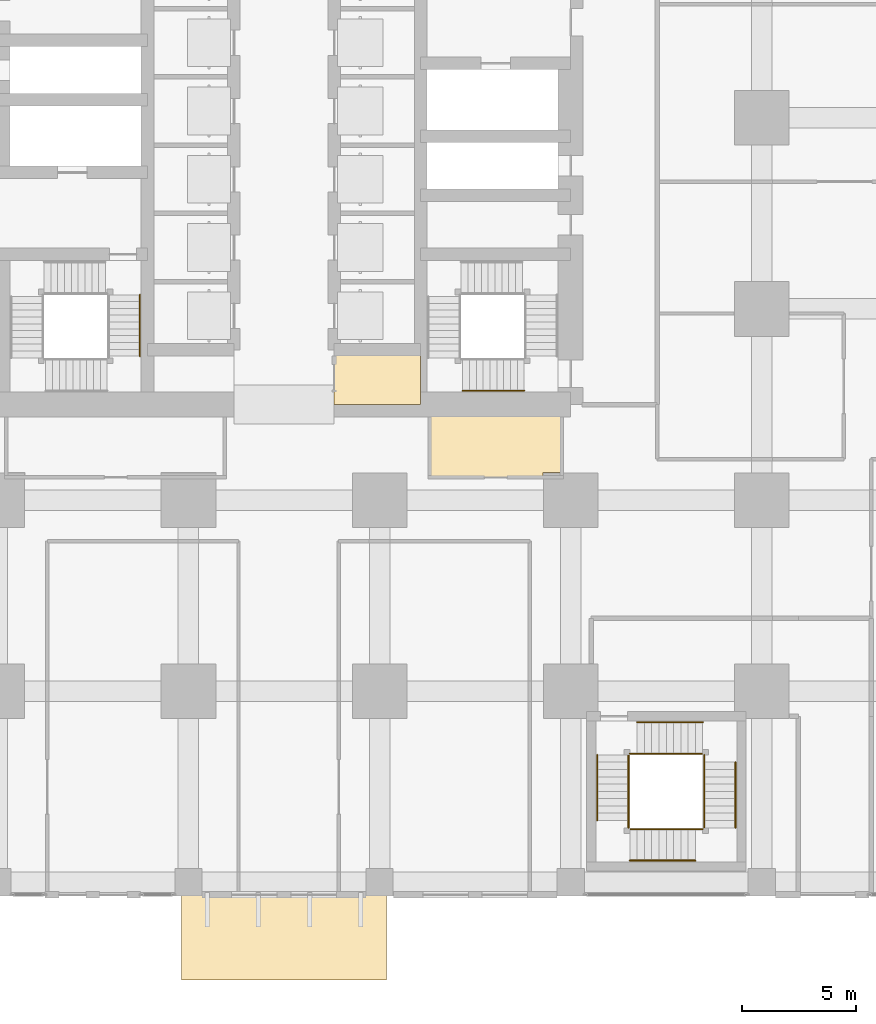
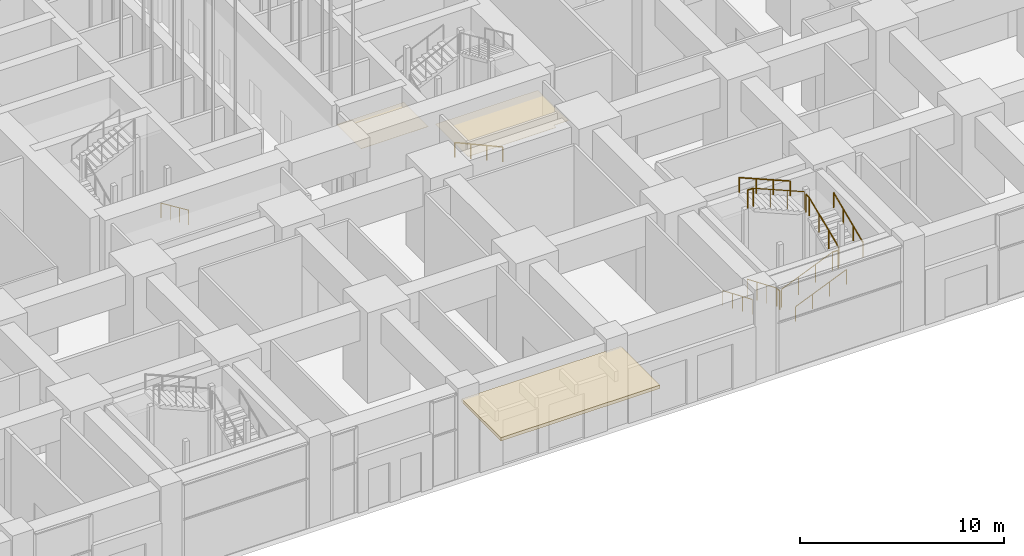
# One storey, part 48 of 81: 14 railings, 3 coverings.
"""IFC4 building model written with IfcOpenShell, lengths in metres."""

from ifc_helpers import new_model, si_unit, direction, frame, origin, origin_2d, place, context, subcontext, project, spatial, polyline, rectangle, circle, outline, extrude, material, layer, layer_set, type_object, element, save


model = new_model("IFC4")

# Units and contexts
model_context = context("Model", 3, precision=1e-05, world=origin(), true_north=direction((0.0, 1.0)))
body_context = subcontext(model_context, "Body", "Model", "MODEL_VIEW")
ifc_project = project(units=[si_unit("LENGTHUNIT", "METRE"), si_unit("AREAUNIT", "SQUARE_METRE"), si_unit("VOLUMEUNIT", "CUBIC_METRE"), si_unit("PLANEANGLEUNIT", "RADIAN"), si_unit("MASSUNIT", "GRAM", prefix="KILO")], contexts=[model_context])

# Site, building, storey
site_placement = place(None, origin())
site = spatial("IfcSite", under=ifc_project, at=site_placement, CompositionType="ELEMENT")
building_placement = place(site_placement, origin())
building = spatial("IfcBuilding", under=site, at=building_placement, Name="Rekha Terrace Tower", CompositionType="ELEMENT")
storey_placement = place(building_placement, origin())
storey = spatial("IfcBuildingStorey", under=building, at=storey_placement, Name="L00", CompositionType="ELEMENT", Elevation=0.0)

# Coverings
ifc_material_1 = material(Name="Fibre cement board", Category="finish")
ifc_layer_1 = layer(ifc_material_1, 0.014892578125)
ifc_layer_set_1 = layer_set([ifc_layer_1], Name="Fibre cement board")
covering_type_1 = type_object("IfcCoveringType", Name="CL2 moisture-resistant board ceiling", PredefinedType="CEILING", material=ifc_layer_set_1)
covering_1_placement = place(storey_placement, frame((0.0, 0.0, 4.18505859375)))
element("IfcCovering", 1, at=covering_1_placement, inside=storey, type_object=covering_type_1, Name="Ceiling L00-WCA", PredefinedType="CEILING", context=body_context, shape_type="SweptSolid", body=[
    extrude(outline(polyline([(43.800048828125, 23.39990234375), (40.0, 23.39990234375), (40.0, 21.0), (43.800048828125, 21.0), (43.800048828125, 23.39990234375)])), origin(), (0.0, 0.0, 1.0), 0.014892578125),
])
covering_2_placement = place(storey_placement, frame((0.0, 0.0, 4.18505859375)))
element("IfcCovering", 2, at=covering_2_placement, inside=storey, type_object=covering_type_1, Name="Ceiling L00-WCM2", PredefinedType="CEILING", context=body_context, shape_type="SweptSolid", body=[
    extrude(outline(polyline([(50.0, 21.0), (44.199951171875, 21.0), (44.199951171875, 17.800048828125), (49.18505859375, 17.800048828125), (49.18505859375, 18.014892578125), (50.0, 18.014892578125), (50.0, 21.0)])), origin(), (0.0, 0.0, 1.0), 0.014892578125),
])
ifc_material_2 = material(Name="Steel-framed canopy with aluminium soffit", Category="steel")
ifc_layer_2 = layer(ifc_material_2, 0.199951171875)
ifc_layer_set_2 = layer_set([ifc_layer_2], Name="Steel-framed canopy with aluminium soffit")
covering_type_2 = type_object("IfcCoveringType", Name="CN1 entrance canopy 200", PredefinedType="USERDEFINED", material=ifc_layer_set_2)
covering_3_placement = place(storey_placement, frame((37.800048828125, -2.3701171875, 4.39990234375), z_axis=(0.0, 0.0, 1.0), x_axis=(1.0, 0.0, 0.0)))
element("IfcCovering", 3, at=covering_3_placement, inside=storey, type_object=covering_type_2, Name="South entrance canopy", ObjectType="ENTRANCE CANOPY", PredefinedType="USERDEFINED", context=body_context, shape_type="SweptSolid", body=[
    extrude(rectangle(XDim=9.0, YDim=3.840087890625, at=origin_2d()), origin(), (0.0, 0.0, 1.0), 0.199951171875),
])

# Railings
ifc_material_3 = material(Name="Stainless steel balustrade", Category="steel")
railing_type_1 = type_object("IfcRailingType", Name="GR1 1100 stair guard", PredefinedType="GUARDRAIL", material=ifc_material_3)
railing_1_placement = place(storey_placement, frame((52.93994140625, 5.60009765625, 0.135009765625)))
element("IfcRailing", 4, at=railing_1_placement, inside=storey, type_object=railing_type_1, Name="Guard SP4 L00 flight 1", PredefinedType="GUARDRAIL", context=body_context, shape_type="SweptSolid", body=[
    extrude(circle(Radius=0.02392578125, at=origin_2d()), frame((0.0, 0.0, 1.076171875), z_axis=(0.0, -0.921360227523, 0.388709828972), x_axis=(1.0, 0.0, 0.0)), (0.0, 0.0, 1.0), 3.1259765625),
    extrude(circle(Radius=0.02099609375, at=origin_2d()), origin(), (0.0, 0.0, 1.0), 1.052001953125),
    extrude(circle(Radius=0.02099609375, at=origin_2d()), frame((0.0, -0.9599609375, 0.405029296875)), (0.0, 0.0, 1.0), 1.052001953125),
    extrude(circle(Radius=0.02099609375, at=origin_2d()), frame((0.0, -1.920166015625, 0.81005859375)), (0.0, 0.0, 1.0), 1.052001953125),
    extrude(circle(Radius=0.02099609375, at=origin_2d()), frame((0.0, -2.880126953125, 1.215087890625)), (0.0, 0.0, 1.0), 1.052001953125),
])
railing_2_placement = place(storey_placement, frame((53.0, 2.340087890625, 1.485107421875)))
element("IfcRailing", 5, at=railing_2_placement, inside=storey, type_object=railing_type_1, Name="Guard SP4 L00 flight 2", PredefinedType="GUARDRAIL", context=body_context, shape_type="SweptSolid", body=[
    extrude(circle(Radius=0.02392578125, at=origin_2d()), frame((0.0, 0.0, 1.076171875), z_axis=(0.921376398962, 0.0, 0.388671495527), x_axis=(0.0, 1.0, 0.0)), (0.0, 0.0, 1.0), 3.125732421875),
    extrude(circle(Radius=0.02099609375, at=origin_2d()), origin(), (0.0, 0.0, 1.0), 1.052001953125),
    extrude(circle(Radius=0.02099609375, at=origin_2d()), frame((0.9599609375, 0.0, 0.405029296875)), (0.0, 0.0, 1.0), 1.052001953125),
    extrude(circle(Radius=0.02099609375, at=origin_2d()), frame((1.919921875, 0.0, 0.809814453125)), (0.0, 0.0, 1.0), 1.052001953125),
    extrude(circle(Radius=0.02099609375, at=origin_2d()), frame((2.8798828125, 0.0, 1.21484375)), (0.0, 0.0, 1.0), 1.052001953125),
])
railing_3_placement = place(storey_placement, frame((56.260009765625, 2.39990234375, 2.8349609375)))
element("IfcRailing", 6, at=railing_3_placement, inside=storey, type_object=railing_type_1, Name="Guard SP4 L00 flight 3", PredefinedType="GUARDRAIL", context=body_context, shape_type="SweptSolid", body=[
    extrude(circle(Radius=0.02392578125, at=origin_2d()), frame((0.0, 0.0, 1.076171875), z_axis=(0.0, 0.921360227523, 0.388709828972), x_axis=(-1.0, 0.0, 0.0)), (0.0, 0.0, 1.0), 3.1259765625),
    extrude(circle(Radius=0.02099609375, at=origin_2d()), origin(), (0.0, 0.0, 1.0), 1.052001953125),
    extrude(circle(Radius=0.02099609375, at=origin_2d()), frame((0.0, 0.9599609375, 0.405029296875)), (0.0, 0.0, 1.0), 1.052001953125),
    extrude(circle(Radius=0.02099609375, at=origin_2d()), frame((0.0, 1.920166015625, 0.81005859375)), (0.0, 0.0, 1.0), 1.052001953125),
    extrude(circle(Radius=0.02099609375, at=origin_2d()), frame((0.0, 2.880126953125, 1.215087890625)), (0.0, 0.0, 1.0), 1.052001953125),
])
railing_4_placement = place(storey_placement, frame((56.199951171875, 5.659912109375, 4.18505859375)))
element("IfcRailing", 7, at=railing_4_placement, inside=storey, type_object=railing_type_1, Name="Guard SP4 L00 flight 4", PredefinedType="GUARDRAIL", context=body_context, shape_type="SweptSolid", body=[
    extrude(circle(Radius=0.02392578125, at=origin_2d()), frame((0.0, 0.0, 1.076171875), z_axis=(-0.921376398962, 0.0, 0.388671495527), x_axis=(0.0, -1.0, 0.0)), (0.0, 0.0, 1.0), 3.125732421875),
    extrude(circle(Radius=0.02099609375, at=origin_2d()), origin(), (0.0, 0.0, 1.0), 1.052001953125),
    extrude(circle(Radius=0.02099609375, at=origin_2d()), frame((-0.9599609375, 0.0, 0.405029296875)), (0.0, 0.0, 1.0), 1.052001953125),
    extrude(circle(Radius=0.02099609375, at=origin_2d()), frame((-1.919921875, 0.0, 0.809814453125)), (0.0, 0.0, 1.0), 1.052001953125),
    extrude(circle(Radius=0.02099609375, at=origin_2d()), frame((-2.8798828125, 0.0, 1.21484375)), (0.0, 0.0, 1.0), 1.052001953125),
])
railing_5_placement = place(storey_placement, frame((52.93994140625, 2.719970703125, 1.35009765625)))
element("IfcRailing", 8, at=railing_5_placement, inside=storey, type_object=railing_type_1, Name="Guard SP4 L00 landing 1", PredefinedType="GUARDRAIL", context=body_context, shape_type="SweptSolid", body=[
    extrude(circle(Radius=0.02392578125, at=origin_2d()), frame((0.0, 0.0, 1.076171875), z_axis=(0.0, -1.0, 0.0), x_axis=(1.0, 0.0, 0.0)), (0.0, 0.0, 1.0), 0.320068359375),
    extrude(circle(Radius=0.02099609375, at=origin_2d()), origin(), (0.0, 0.0, 1.0), 1.052001953125),
    extrude(circle(Radius=0.02099609375, at=origin_2d()), frame((0.0, -0.320068359375, 0.0)), (0.0, 0.0, 1.0), 1.052001953125),
])
railing_6_placement = place(storey_placement, frame((55.8798828125, 2.340087890625, 2.699951171875)))
element("IfcRailing", 9, at=railing_6_placement, inside=storey, type_object=railing_type_1, Name="Guard SP4 L00 landing 2", PredefinedType="GUARDRAIL", context=body_context, shape_type="SweptSolid", body=[
    extrude(circle(Radius=0.02392578125, at=origin_2d()), frame((0.0, 0.0, 1.076171875), z_axis=(1.0, 0.0, 0.0), x_axis=(0.0, 1.0, 0.0)), (0.0, 0.0, 1.0), 0.320068359375),
    extrude(circle(Radius=0.02099609375, at=origin_2d()), origin(), (0.0, 0.0, 1.0), 1.052001953125),
    extrude(circle(Radius=0.02099609375, at=origin_2d()), frame((0.320068359375, 0.0, 0.0)), (0.0, 0.0, 1.0), 1.052001953125),
])
railing_7_placement = place(storey_placement, frame((56.260009765625, 5.60009765625, 4.050048828125)))
element("IfcRailing", 10, at=railing_7_placement, inside=storey, type_object=railing_type_1, Name="Guard SP4 L00 landing 3", PredefinedType="GUARDRAIL", context=body_context, shape_type="SweptSolid", body=[
    extrude(circle(Radius=0.02392578125, at=origin_2d()), frame((0.0, 0.0, 1.076171875), z_axis=(0.0, -1.0, 0.0), x_axis=(1.0, 0.0, 0.0)), (0.0, 0.0, 1.0), 0.320068359375),
    extrude(circle(Radius=0.02099609375, at=origin_2d()), origin(), (0.0, 0.0, 1.0), 1.052001953125),
    extrude(circle(Radius=0.02099609375, at=origin_2d()), frame((0.0, -0.320068359375, 0.0)), (0.0, 0.0, 1.0), 1.052001953125),
])
railing_8_placement = place(storey_placement, frame((53.0, 5.659912109375, 5.39990234375)))
element("IfcRailing", 11, at=railing_8_placement, inside=storey, type_object=railing_type_1, Name="Guard SP4 L00 landing 4", PredefinedType="GUARDRAIL", context=body_context, shape_type="SweptSolid", body=[
    extrude(circle(Radius=0.02392578125, at=origin_2d()), frame((0.0, 0.0, 1.076171875), z_axis=(1.0, 0.0, 0.0), x_axis=(0.0, 1.0, 0.0)), (0.0, 0.0, 1.0), 0.320068359375),
    extrude(circle(Radius=0.02099609375, at=origin_2d()), origin(), (0.0, 0.0, 1.0), 1.052001953125),
    extrude(circle(Radius=0.02099609375, at=origin_2d()), frame((0.320068359375, 0.0, 0.0)), (0.0, 0.0, 1.0), 1.052001953125),
])
ifc_material_4 = material(Name="Stainless steel tube", Category="steel")
railing_type_2 = type_object("IfcRailingType", Name="HR1 900 stair handrail", PredefinedType="HANDRAIL", material=ifc_material_4)
railing_9_placement = place(storey_placement, frame((51.56005859375, 5.60009765625, 0.135009765625)))
element("IfcRailing", 12, at=railing_9_placement, inside=storey, type_object=railing_type_2, Name="Handrail SP4 L00 flight 1", PredefinedType="HANDRAIL", context=body_context, shape_type="SweptSolid", body=[
    extrude(circle(Radius=0.02392578125, at=origin_2d()), frame((0.0, 0.0, 0.8759765625), z_axis=(0.0, -0.921360227523, 0.388709828972), x_axis=(1.0, 0.0, 0.0)), (0.0, 0.0, 1.0), 3.1259765625),
    extrude(circle(Radius=0.02099609375, at=origin_2d()), origin(), (0.0, 0.0, 1.0), 0.851806640625),
    extrude(circle(Radius=0.02099609375, at=origin_2d()), frame((0.0, -0.9599609375, 0.405029296875)), (0.0, 0.0, 1.0), 0.851806640625),
    extrude(circle(Radius=0.02099609375, at=origin_2d()), frame((0.0, -1.920166015625, 0.81005859375)), (0.0, 0.0, 1.0), 0.851806640625),
    extrude(circle(Radius=0.02099609375, at=origin_2d()), frame((0.0, -2.880126953125, 1.215087890625)), (0.0, 0.0, 1.0), 0.851806640625),
])
railing_10_placement = place(storey_placement, frame((53.0, 0.9599609375, 1.485107421875)))
element("IfcRailing", 13, at=railing_10_placement, inside=storey, type_object=railing_type_2, Name="Handrail SP4 L00 flight 2", PredefinedType="HANDRAIL", context=body_context, shape_type="SweptSolid", body=[
    extrude(circle(Radius=0.02392578125, at=origin_2d()), frame((0.0, 0.0, 0.8759765625), z_axis=(0.921376398962, 0.0, 0.388671495527), x_axis=(0.0, 1.0, 0.0)), (0.0, 0.0, 1.0), 3.125732421875),
    extrude(circle(Radius=0.02099609375, at=origin_2d()), origin(), (0.0, 0.0, 1.0), 0.851806640625),
    extrude(circle(Radius=0.02099609375, at=origin_2d()), frame((0.9599609375, 0.0, 0.405029296875)), (0.0, 0.0, 1.0), 0.851806640625),
    extrude(circle(Radius=0.02099609375, at=origin_2d()), frame((1.919921875, 0.0, 0.809814453125)), (0.0, 0.0, 1.0), 0.851806640625),
    extrude(circle(Radius=0.02099609375, at=origin_2d()), frame((2.8798828125, 0.0, 1.21484375)), (0.0, 0.0, 1.0), 0.851806640625),
])
railing_11_placement = place(storey_placement, frame((57.639892578125, 2.39990234375, 2.8349609375)))
element("IfcRailing", 14, at=railing_11_placement, inside=storey, type_object=railing_type_2, Name="Handrail SP4 L00 flight 3", PredefinedType="HANDRAIL", context=body_context, shape_type="SweptSolid", body=[
    extrude(circle(Radius=0.02392578125, at=origin_2d()), frame((0.0, 0.0, 0.8759765625), z_axis=(0.0, 0.921360227523, 0.388709828972), x_axis=(-1.0, 0.0, 0.0)), (0.0, 0.0, 1.0), 3.1259765625),
    extrude(circle(Radius=0.02099609375, at=origin_2d()), origin(), (0.0, 0.0, 1.0), 0.851806640625),
    extrude(circle(Radius=0.02099609375, at=origin_2d()), frame((0.0, 0.9599609375, 0.405029296875)), (0.0, 0.0, 1.0), 0.851806640625),
    extrude(circle(Radius=0.02099609375, at=origin_2d()), frame((0.0, 1.920166015625, 0.81005859375)), (0.0, 0.0, 1.0), 0.851806640625),
    extrude(circle(Radius=0.02099609375, at=origin_2d()), frame((0.0, 2.880126953125, 1.215087890625)), (0.0, 0.0, 1.0), 0.851806640625),
])
railing_12_placement = place(storey_placement, frame((56.199951171875, 7.0400390625, 4.18505859375)))
element("IfcRailing", 15, at=railing_12_placement, inside=storey, type_object=railing_type_2, Name="Handrail SP4 L00 flight 4", PredefinedType="HANDRAIL", context=body_context, shape_type="SweptSolid", body=[
    extrude(circle(Radius=0.02392578125, at=origin_2d()), frame((0.0, 0.0, 0.8759765625), z_axis=(-0.921376398962, 0.0, 0.388671495527), x_axis=(0.0, -1.0, 0.0)), (0.0, 0.0, 1.0), 3.125732421875),
    extrude(circle(Radius=0.02099609375, at=origin_2d()), origin(), (0.0, 0.0, 1.0), 0.851806640625),
    extrude(circle(Radius=0.02099609375, at=origin_2d()), frame((-0.9599609375, 0.0, 0.405029296875)), (0.0, 0.0, 1.0), 0.851806640625),
    extrude(circle(Radius=0.02099609375, at=origin_2d()), frame((-1.919921875, 0.0, 0.809814453125)), (0.0, 0.0, 1.0), 0.851806640625),
    extrude(circle(Radius=0.02099609375, at=origin_2d()), frame((-2.8798828125, 0.0, 1.21484375)), (0.0, 0.0, 1.0), 0.851806640625),
])
railing_13_placement = place(storey_placement, frame((31.465087890625, 25.824951171875, 0.135009765625)))
element("IfcRailing", 16, at=railing_13_placement, inside=storey, type_object=railing_type_2, Name="Handrail ST1 L00 flight 1", PredefinedType="HANDRAIL", context=body_context, shape_type="SweptSolid", body=[
    extrude(circle(Radius=0.02392578125, at=origin_2d()), frame((0.0, 0.0, 0.8759765625), z_axis=(0.0, -0.911907618724, 0.410395534713), x_axis=(1.0, 0.0, 0.0)), (0.0, 0.0, 1.0), 2.960693359375),
    extrude(circle(Radius=0.02099609375, at=origin_2d()), origin(), (0.0, 0.0, 1.0), 0.851806640625),
    extrude(circle(Radius=0.02099609375, at=origin_2d()), frame((0.0, -0.89990234375, 0.405029296875)), (0.0, 0.0, 1.0), 0.851806640625),
    extrude(circle(Radius=0.02099609375, at=origin_2d()), frame((0.0, -1.800048828125, 0.81005859375)), (0.0, 0.0, 1.0), 0.851806640625),
    extrude(circle(Radius=0.02099609375, at=origin_2d()), frame((0.0, -2.699951171875, 1.215087890625)), (0.0, 0.0, 1.0), 0.851806640625),
])
railing_14_placement = place(storey_placement, frame((48.35009765625, 21.610107421875, 0.135009765625)))
element("IfcRailing", 17, at=railing_14_placement, inside=storey, type_object=railing_type_2, Name="Handrail ST3 L00 flight 1", PredefinedType="HANDRAIL", context=body_context, shape_type="SweptSolid", body=[
    extrude(circle(Radius=0.02392578125, at=origin_2d()), frame((0.0, 0.0, 0.8759765625), z_axis=(-0.911921505175, 0.0, 0.410364677329), x_axis=(0.0, -1.0, 0.0)), (0.0, 0.0, 1.0), 2.9609375),
    extrude(circle(Radius=0.02099609375, at=origin_2d()), origin(), (0.0, 0.0, 1.0), 0.851806640625),
    extrude(circle(Radius=0.02099609375, at=origin_2d()), frame((-0.900146484375, 0.0, 0.405029296875)), (0.0, 0.0, 1.0), 0.851806640625),
    extrude(circle(Radius=0.02099609375, at=origin_2d()), frame((-1.800048828125, 0.0, 0.81005859375)), (0.0, 0.0, 1.0), 0.851806640625),
    extrude(circle(Radius=0.02099609375, at=origin_2d()), frame((-2.7001953125, 0.0, 1.215087890625)), (0.0, 0.0, 1.0), 0.851806640625),
])

save(model, "model.ifc")
